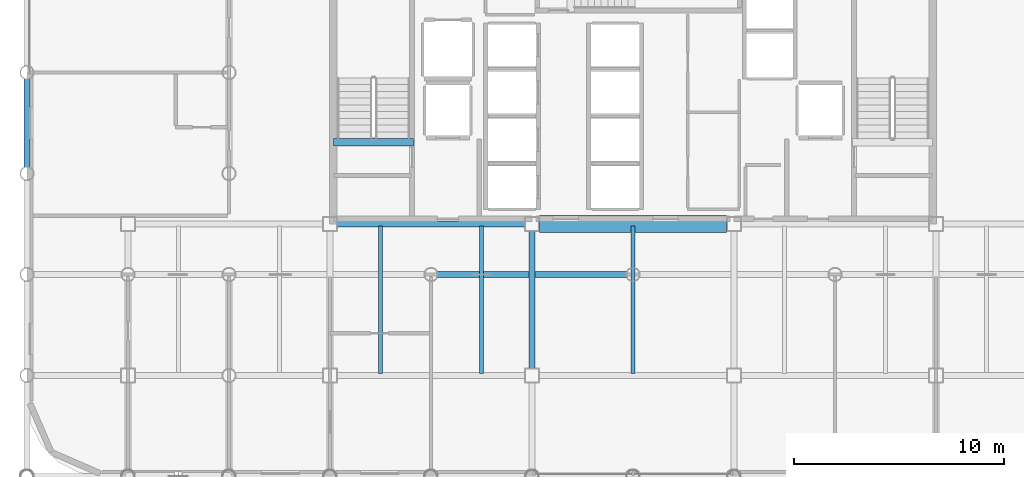
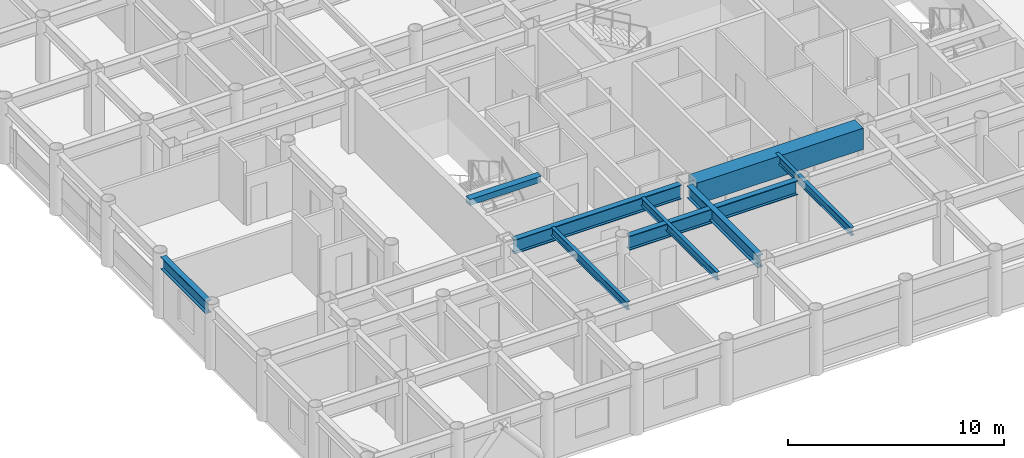
# One storey, part 3 of 20: 9 beams.
"""IFC4 building model written with IfcOpenShell, lengths in metres."""

from ifc_helpers import new_model, si_unit, direction, frame, origin, origin_2d, place, context, subcontext, project, spatial, rectangle, i_section, extrude, material, material_profile, profile_set, type_object, element, save


model = new_model("IFC4")

# Units and contexts
model_context = context("Model", 3, precision=1e-05, world=origin(), true_north=direction((0.0, 1.0)))
body_context = subcontext(model_context, "Body", "Model", "MODEL_VIEW")
ifc_project = project(units=[si_unit("LENGTHUNIT", "METRE"), si_unit("AREAUNIT", "SQUARE_METRE"), si_unit("VOLUMEUNIT", "CUBIC_METRE"), si_unit("PLANEANGLEUNIT", "RADIAN"), si_unit("MASSUNIT", "GRAM", prefix="KILO")], contexts=[model_context])

# Site, building, storey
site_placement = place(None, origin())
site = spatial("IfcSite", under=ifc_project, at=site_placement, CompositionType="ELEMENT")
building_placement = place(site_placement, origin())
building = spatial("IfcBuilding", under=site, at=building_placement, Name="Kallvorn Hotel Tower", CompositionType="ELEMENT")
storey_placement = place(building_placement, frame((0.0, 0.0, 98.89990234375)))
storey = spatial("IfcBuildingStorey", under=building, at=storey_placement, Name="L23", CompositionType="ELEMENT", Elevation=98.89990234375)

# Beams
ifc_material_1 = material(Name="Structural steel S355JR", Category="steel")
ifc_material_profile_1 = material_profile(ifc_material_1, i_section(OverallWidth=0.300048828125, OverallDepth=0.699951171875, WebThickness=0.01708984375, FlangeThickness=0.031982421875, at=origin_2d()), Name="HE 700 B")
ifc_profile_set_1 = profile_set([ifc_material_profile_1], Name="Structural steel S355JR")
beam_type_1 = type_object("IfcBeamType", Name="BM_HE700B", PredefinedType="BEAM", material=ifc_profile_set_1)
beam_1_placement = place(storey_placement, frame((-28.800048828125, -4.4951171875, 3.170166015625), z_axis=(0.0, 1.0, 0.0), x_axis=(-1.0, 0.0, 0.0)))
element("IfcBeam", 1, at=beam_1_placement, inside=storey, type_object=beam_type_1, Name="L24 Primary Y-Girder 76", PredefinedType="BEAM", context=body_context, shape_type="SweptSolid", body=[
    extrude(i_section(OverallWidth=0.300048828125, OverallDepth=0.699951171875, WebThickness=0.01708984375, FlangeThickness=0.031982421875, at=origin_2d()), origin(), (0.0, 0.0, 1.0), 4.190185546875),
])
beam_2_placement = place(storey_placement, frame((-4.800048828125, -14.074951171875, 3.170166015625), z_axis=(0.0, 1.0, 0.0), x_axis=(-1.0, 0.0, 0.0)))
element("IfcBeam", 2, at=beam_2_placement, inside=storey, type_object=beam_type_1, Name="L24 Primary Y-Girder 106", PredefinedType="BEAM", context=body_context, shape_type="SweptSolid", body=[
    extrude(i_section(OverallWidth=0.300048828125, OverallDepth=0.699951171875, WebThickness=0.01708984375, FlangeThickness=0.031982421875, at=origin_2d()), origin(), (0.0, 0.0, 1.0), 6.550048828125),
])
ifc_material_2 = material(Name="Structural steel S355JR", Category="steel")
ifc_material_profile_2 = material_profile(ifc_material_2, i_section(OverallWidth=0.300048828125, OverallDepth=0.800048828125, WebThickness=0.017578125, FlangeThickness=0.032958984375, at=origin_2d()), Name="HE 800 B")
ifc_profile_set_2 = profile_set([ifc_material_profile_2], Name="Structural steel S355JR")
beam_type_2 = type_object("IfcBeamType", Name="BM_HE800B", PredefinedType="BEAM", material=ifc_profile_set_2)
beam_3_placement = place(storey_placement, frame((-9.294921875, -9.60009765625, 3.1201171875), z_axis=(1.0, 0.0, 0.0), x_axis=(0.0, 1.0, 0.0)))
element("IfcBeam", 3, at=beam_3_placement, inside=storey, type_object=beam_type_2, Name="L24 Primary X-Girder 26", PredefinedType="BEAM", context=body_context, shape_type="SweptSolid", body=[
    extrude(i_section(OverallWidth=0.300048828125, OverallDepth=0.800048828125, WebThickness=0.017578125, FlangeThickness=0.032958984375, at=origin_2d()), origin(), (0.0, 0.0, 1.0), 8.989990234375),
])
beam_4_placement = place(storey_placement, frame((-14.074951171875, -7.199951171875, 3.1201171875), z_axis=(1.0, 0.0, 0.0), x_axis=(0.0, 1.0, 0.0)))
element("IfcBeam", 4, at=beam_4_placement, inside=storey, type_object=beam_type_2, Name="L24 Primary X-Girder 33", PredefinedType="BEAM", context=body_context, shape_type="SweptSolid", body=[
    extrude(i_section(OverallWidth=0.300048828125, OverallDepth=0.800048828125, WebThickness=0.017578125, FlangeThickness=0.032958984375, at=origin_2d()), origin(), (0.0, 0.0, 1.0), 8.949951171875),
])
ifc_material_3 = material(Name="Structural steel S355JR", Category="steel")
ifc_material_profile_3 = material_profile(ifc_material_3, i_section(OverallWidth=0.18994140625, OverallDepth=0.449951171875, WebThickness=0.009521484375, FlangeThickness=0.0146484375, at=origin_2d()), Name="IPE 450")
ifc_profile_set_3 = profile_set([ifc_material_profile_3], Name="Structural steel S355JR")
beam_type_3 = type_object("IfcBeamType", Name="BM_IPE450", PredefinedType="JOIST", material=ifc_profile_set_3)
for number, where, z_axis, x_axis, name in (
    (5, (-12.0, -14.300048828125, 3.295166015625), (0.0, 1.0, 0.0), (-1.0, 0.0, 0.0), "L24 Secondary Composite Joist 196"),
    (6, (-7.199951171875, -14.300048828125, 3.295166015625), (0.0, 1.0, 0.0), (-1.0, 0.0, 0.0), "L24 Secondary Composite Joist 198"),
    (7, (0.0, -14.300048828125, 3.295166015625), (0.0, 1.0, 0.0), (-1.0, 0.0, 0.0), "L24 Secondary Composite Joist 200"),
):
    element("IfcBeam", number, at=place(storey_placement, frame(where, z_axis=z_axis, x_axis=x_axis)), inside=storey, type_object=beam_type_3, Name=name, PredefinedType="JOIST", context=body_context, shape_type="SweptSolid", body=[
        extrude(i_section(OverallWidth=0.18994140625, OverallDepth=0.449951171875, WebThickness=0.009521484375, FlangeThickness=0.0146484375, at=origin_2d()), origin(), (0.0, 0.0, 1.0), 7.0),
    ])
ifc_material_4 = material(Name="Concrete C50/60", Category="concrete")
ifc_material_profile_4 = material_profile(ifc_material_4, rectangle(XDim=0.360107421875, YDim=0.340087890625, at=origin_2d()), Name="RC 360x340")
ifc_profile_set_4 = profile_set([ifc_material_profile_4], Name="Concrete C50/60")
beam_type_4 = type_object("IfcBeamType", Name="BM_RC_400x360", PredefinedType="BEAM", material=ifc_profile_set_4)
beam_5_placement = place(storey_placement, frame((-10.419921875, -3.31005859375, 3.35009765625), z_axis=(-1.0, 0.0, 0.0), x_axis=(0.0, -1.0, 0.0)))
element("IfcBeam", 8, at=beam_5_placement, inside=storey, type_object=beam_type_4, Name="L24 Stair ST1 Arrival Trimmer Beam", PredefinedType="BEAM", context=body_context, shape_type="SweptSolid", body=[
    extrude(rectangle(XDim=0.360107421875, YDim=0.340087890625, at=origin_2d()), origin(), (0.0, 0.0, 1.0), 3.820068359375),
])
ifc_material_5 = material(Name="Concrete C50/60", Category="concrete")
ifc_material_profile_5 = material_profile(ifc_material_5, rectangle(XDim=0.800048828125, YDim=1.199951171875, at=origin_2d()), Name="RC 800x1200")
ifc_profile_set_5 = profile_set([ifc_material_profile_5], Name="Concrete C50/60")
beam_type_5 = type_object("IfcBeamType", Name="BM_RC_800x1200", PredefinedType="T_BEAM", material=ifc_profile_set_5)
beam_6_placement = place(storey_placement, frame((-4.449951171875, -7.199951171875, 2.920166015625), z_axis=(1.0, 0.0, 0.0), x_axis=(0.0, 1.0, 0.0)))
element("IfcBeam", 9, at=beam_6_placement, inside=storey, type_object=beam_type_5, Name="L23 Core Coupling Beam South", PredefinedType="T_BEAM", context=body_context, shape_type="SweptSolid", body=[
    extrude(rectangle(XDim=0.800048828125, YDim=1.199951171875, at=origin_2d()), origin(), (0.0, 0.0, 1.0), 8.89990234375),
])

save(model, "model.ifc")
